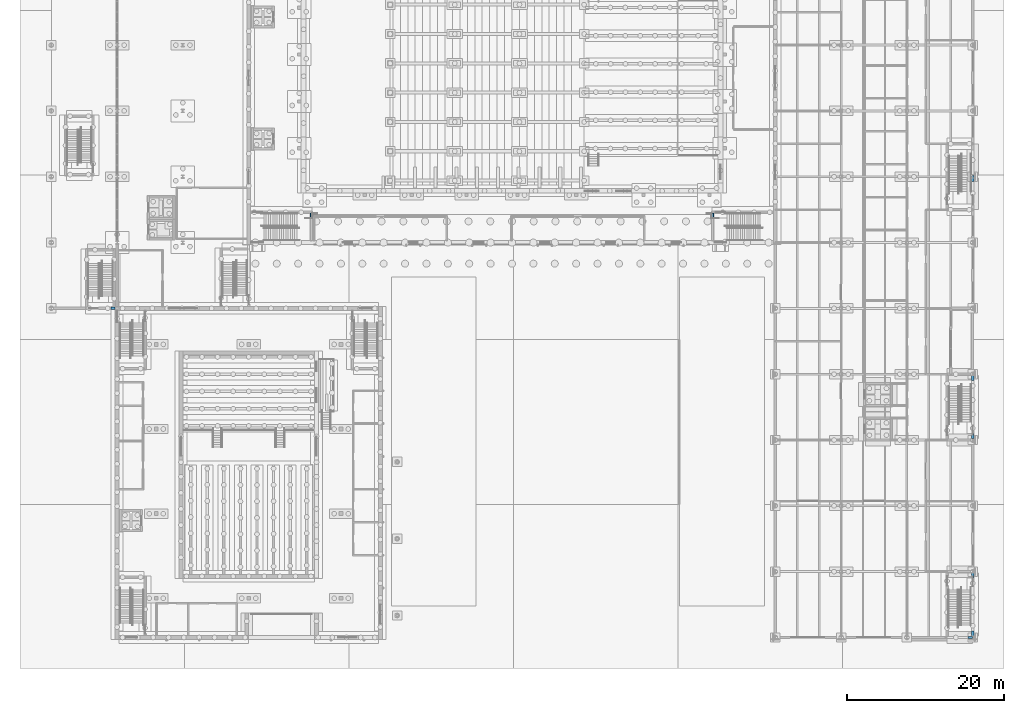
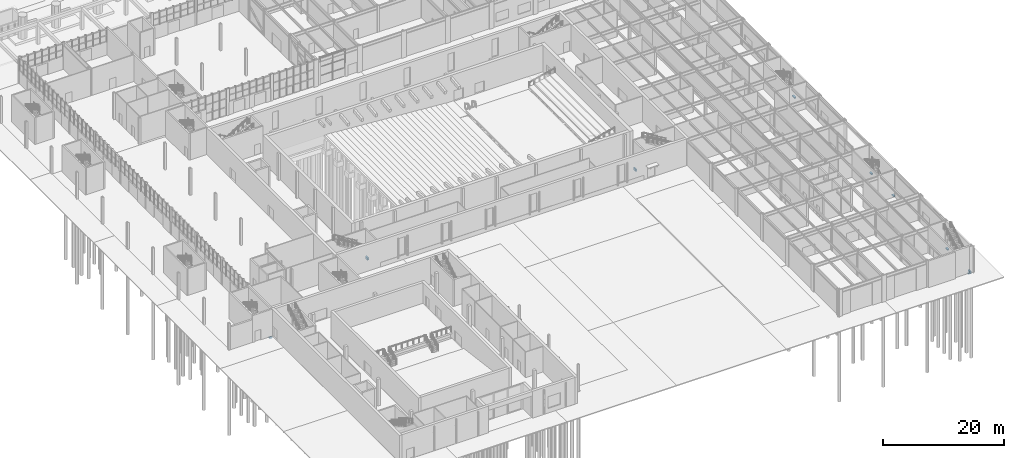
# One storey, part 76 of 127: 9 walls.
"""IFC4 building model written with IfcOpenShell, lengths in metres."""

import ifcopenshell
import ifcopenshell.guid

model = None  # the IFC model being written
_history = None  # IfcOwnerHistory: only IFC2X3 demands one
_inside = {}  # id of a spatial element -> (the spatial element, [elements in it])
_under = {}  # id of a project, library or spatial element -> (it, [spatial elements below it])
_declared = {}  # id of a project -> (the project, [libraries it declares])
_typed = {}  # id of a type object -> (the type object, [elements of that type])
_made_of = {}  # id of a material, layer set ... -> (it, [elements and type objects made of it])


def new_model(schema):
    """Start an empty IFC model of exactly this schema.

    Asked for "IFC4X3", IfcOpenShell would pick the latest addendum, in which some entities
    have other attributes; the version numbers below select the first issue.
    IFC2X3 requires an IfcOwnerHistory on every rooted entity: one is made here for all.
    """
    global model, _history
    if schema == "IFC4X3":
        model = ifcopenshell.file(schema_version=(4, 3, 0, 0))
    else:
        model = ifcopenshell.file(schema=schema)
    _inside.clear()
    _under.clear()
    _declared.clear()
    _typed.clear()
    _made_of.clear()
    _history = None
    if model.schema == "IFC2X3":
        org = make("IfcOrganization", Name="unknown")
        user = make(
            "IfcPersonAndOrganization",
            ThePerson=make("IfcPerson", FamilyName="unknown"),
            TheOrganization=org,
        )
        app = make(
            "IfcApplication",
            ApplicationDeveloper=org,
            Version="unknown",
            ApplicationFullName="unknown",
            ApplicationIdentifier="unknown",
        )
        _history = make(
            "IfcOwnerHistory",
            OwningUser=user,
            OwningApplication=app,
            ChangeAction="ADDED",
            CreationDate=0,
        )
    return model


def make(cls, **values):
    """One entity of the class cls with the attributes given. An attribute that is None is left unset."""
    return model.create_entity(
        cls, **{name: value for name, value in values.items() if value is not None}
    )


def rooted(cls, **values):
    """An entity with a GlobalId (a new one), such as an element, a storey or a relation."""
    return make(cls, GlobalId=ifcopenshell.guid.new(), OwnerHistory=_history, **values)


def si_unit(unit_type, name, prefix=None):
    """IfcSIUnit, for example si_unit("LENGTHUNIT", "METRE", prefix="MILLI")."""
    return make("IfcSIUnit", UnitType=unit_type, Prefix=prefix, Name=name)


def assignment(units):
    """IfcUnitAssignment: the units of a project."""
    return None if units is None else make("IfcUnitAssignment", Units=units)


def point(xyz):
    """IfcCartesianPoint."""
    return None if xyz is None else make("IfcCartesianPoint", Coordinates=xyz)


def direction(xyz):
    """IfcDirection."""
    return None if xyz is None else make("IfcDirection", DirectionRatios=xyz)


def frame(location, z_axis=None, x_axis=None):
    """IfcAxis2Placement3D, a coordinate frame: its origin and axes. An axis left out is left unset."""
    return make(
        "IfcAxis2Placement3D",
        Location=point(location),
        Axis=direction(z_axis),
        RefDirection=direction(x_axis),
    )


def frame_2d(location, x_axis=None):
    """IfcAxis2Placement2D, a coordinate frame in the plane: its origin and x axis."""
    return make(
        "IfcAxis2Placement2D", Location=point(location), RefDirection=direction(x_axis)
    )


def origin():
    """The frame at (0, 0, 0) with its axes left unset."""
    return frame((0.0, 0.0, 0.0))


def place(relative_to, where):
    """IfcLocalPlacement: puts the frame where relative to a parent placement (None: the world)."""
    return make(
        "IfcLocalPlacement", PlacementRelTo=relative_to, RelativePlacement=where
    )


def context(
    kind, dimensions, precision=None, world=None, true_north=None, identifier=None
):
    """IfcGeometricRepresentationContext, for example the 3D "Model" context."""
    return make(
        "IfcGeometricRepresentationContext",
        ContextIdentifier=identifier,
        ContextType=kind,
        CoordinateSpaceDimension=dimensions,
        Precision=precision,
        WorldCoordinateSystem=world,
        TrueNorth=true_north,
    )


def subcontext(parent, identifier, kind, view, scale=None):
    """IfcGeometricRepresentationSubContext, for example "Body" below "Model"."""
    return make(
        "IfcGeometricRepresentationSubContext",
        ContextIdentifier=identifier,
        ContextType=kind,
        ParentContext=parent,
        TargetScale=scale,
        TargetView=view,
    )


def project(units=None, contexts=None):
    """IfcProject with its units and contexts."""
    return rooted(
        "IfcProject",
        Name="project",
        RepresentationContexts=contexts,
        UnitsInContext=assignment(units),
    )


def spatial(cls, under=None, at=None, **own):
    """A site, building, storey or space (cls), placed at a placement, below another one or the project."""
    s = rooted(cls, ObjectPlacement=at, **own)
    if under is not None:
        _under.setdefault(under.id(), (under, []))[1].append(s)
    return s


def profile(cls, at=None, kind="AREA", **sizes):
    """A parametric profile (cls). Its sizes go by their IFC names, for example OverallWidth=200.0."""
    return make(cls, ProfileType=kind, Position=at, **sizes)


def rectangle(**sizes):
    """IfcRectangleProfileDef."""
    return profile("IfcRectangleProfileDef", **sizes)


def extrude(swept, where, along, depth):
    """IfcExtrudedAreaSolid: the profile swept, set in the frame where, extruded along a direction by depth."""
    return make(
        "IfcExtrudedAreaSolid",
        SweptArea=swept,
        Position=where,
        ExtrudedDirection=direction(along),
        Depth=depth,
    )


def shape(context_of_items, identifier, shape_type, items):
    """IfcShapeRepresentation: the items that make up one representation, for example the "Body"."""
    return make(
        "IfcShapeRepresentation",
        ContextOfItems=context_of_items,
        RepresentationIdentifier=identifier,
        RepresentationType=shape_type,
        Items=items,
    )


def material(Name=None, Category=None):
    """IfcMaterial."""
    return make("IfcMaterial", Name=Name, Category=Category)


def layer(
    of_material, thickness, ventilated=None, Name=None, Category=None, Priority=None
):
    """IfcMaterialLayer: one layer of a wall or slab, of a material (None: an air gap)."""
    return make(
        "IfcMaterialLayer",
        Material=of_material,
        LayerThickness=thickness,
        IsVentilated=ventilated,
        Name=Name,
        Category=Category,
        Priority=Priority,
    )


def layer_set(layers, Name=None):
    """IfcMaterialLayerSet."""
    return make("IfcMaterialLayerSet", MaterialLayers=layers, LayerSetName=Name)


def made_of(thing, what):
    """Note that an element or type object is made of a material, layer set ...; save() writes the relation."""
    if what is not None:
        _made_of.setdefault(what.id(), (what, []))[1].append(thing)
    return thing


def type_object(cls, material=None, **own):
    """A type object (cls), such as IfcWallType, which elements share."""
    return made_of(rooted(cls, **own), material)


def element(
    cls,
    number,
    at=None,
    inside=None,
    cuts=None,
    type_object=None,
    material=None,
    context=None,
    identifier="Body",
    shape_type=None,
    held_by="IfcProductDefinitionShape",
    body=None,
    shapes=None,
    **own,
):
    """One element of the class cls, such as IfcWall. Its Tag is "e" and its number.

    at: its placement. inside: the storey or other place that contains it. cuts: it is an
    opening in that element (IfcRelVoidsElement). A single representation is given by context,
    identifier, shape_type and body (its items); several are given by shapes. held_by: the class
    of the entity that holds the representations. save() writes the other relations.
    """
    e = rooted(cls, Tag="e%d" % number, ObjectPlacement=at, **own)
    if body is not None:
        shapes = [shape(context, identifier, shape_type, body)]
    if shapes is not None:
        e.Representation = make(held_by, Representations=shapes)
    if inside is not None:
        _inside.setdefault(inside.id(), (inside, []))[1].append(e)
    if cuts is not None:
        rooted(
            "IfcRelVoidsElement", RelatingBuildingElement=cuts, RelatedOpeningElement=e
        )
    if type_object is not None:
        _typed.setdefault(type_object.id(), (type_object, []))[1].append(e)
    return made_of(e, material)


def aggregate(whole, parts):
    """IfcRelAggregates: a whole, such as a stair, and the parts it consists of."""
    return rooted("IfcRelAggregates", RelatingObject=whole, RelatedObjects=parts)


def save(model, path):
    """Write the relations noted so far, then the file.

    IfcRelAggregates (storeys below a building ...), IfcRelContainedInSpatialStructure (elements
    in a storey), IfcRelDefinesByType, IfcRelAssociatesMaterial and IfcRelDeclares: one each for
    every whole, place, type object, material and project.
    """
    for whole, parts in _under.values():
        aggregate(whole, parts)
    for where, things in _inside.values():
        rooted(
            "IfcRelContainedInSpatialStructure",
            RelatedElements=things,
            RelatingStructure=where,
        )
    for kind, things in _typed.values():
        rooted("IfcRelDefinesByType", RelatedObjects=things, RelatingType=kind)
    for what, things in _made_of.values():
        rooted("IfcRelAssociatesMaterial", RelatedObjects=things, RelatingMaterial=what)
    for by, libraries in _declared.values():
        rooted("IfcRelDeclares", RelatingContext=by, RelatedDefinitions=libraries)
    model.write(path)


model = new_model("IFC4")

# Units and contexts
model_context = context("Model", 3, precision=1e-05, world=origin(), true_north=direction((0.0, 1.0)))
body_context = subcontext(model_context, "Body", "Model", "MODEL_VIEW")
ifc_project = project(units=[si_unit("LENGTHUNIT", "METRE"), si_unit("AREAUNIT", "SQUARE_METRE"), si_unit("VOLUMEUNIT", "CUBIC_METRE"), si_unit("PLANEANGLEUNIT", "RADIAN"), si_unit("MASSUNIT", "GRAM", prefix="KILO")], contexts=[model_context])

# Site, building, storey
site_placement = place(None, origin())
site = spatial("IfcSite", under=ifc_project, at=site_placement, CompositionType="ELEMENT")
building_placement = place(site_placement, origin())
building = spatial("IfcBuilding", under=site, at=building_placement, Name="Ljudholm Concert House", CompositionType="ELEMENT")
storey_placement = place(building_placement, origin())
storey = spatial("IfcBuildingStorey", under=building, at=storey_placement, Name="L00", CompositionType="ELEMENT", Elevation=0.0)

# Walls
ifc_material_1 = material(Name="Concrete 6,500 psi", Category="concrete")
ifc_layer_1 = layer(ifc_material_1, 0.25)
ifc_layer_set_1 = layer_set([ifc_layer_1], Name="Concrete 6,500 psi")
wall_type_1 = type_object("IfcWallType", Name="RC WALL 250", PredefinedType="SOLIDWALL", material=ifc_layer_set_1)
for number, where, z_axis, x_axis, name in (
    (1, (37.175048828125, 57.455078125, -0.5), (0.0, 0.0, 1.0), (0.0, 1.0, 0.0), "Wall stem"),
    (2, (88.425048828125, 57.455078125, -0.5), (0.0, 0.0, 1.0), (0.0, 1.0, 0.0), "Wall stem"),
):
    element("IfcWall", number, at=place(storey_placement, frame(where, z_axis=z_axis, x_axis=x_axis)), inside=storey, type_object=wall_type_1, Name=name, PredefinedType="SOLIDWALL", context=body_context, shape_type="SweptSolid", body=[
        extrude(rectangle(XDim=0.69482421875, YDim=0.25, at=frame_2d((0.347412109375, 0.0))), origin(), (0.0, 0.0, 1.0), 0.5),
    ])
ifc_material_2 = material(Name="Concrete 6,500 psi", Category="concrete")
ifc_layer_2 = layer(ifc_material_2, 0.300048828125)
ifc_layer_set_2 = layer_set([ifc_layer_2], Name="Concrete 6,500 psi")
wall_type_2 = type_object("IfcWallType", Name="RC WALL 300", PredefinedType="SOLIDWALL", material=ifc_layer_set_2)
for number, where, z_axis, x_axis, name in (
    (3, (121.60009765625, 4.186767578125, -0.25), (0.0, 0.0, 1.0), (0.0, 1.0, 0.0), "Wall stem"),
    (4, (121.60009765625, 11.580078125, -0.25), (0.0, 0.0, 1.0), (0.0, 1.0, 0.0), "Wall stem"),
    (5, (121.60009765625, 29.38671875, -0.25), (0.0, 0.0, 1.0), (0.0, 1.0, 0.0), "Wall stem"),
    (6, (121.60009765625, 36.780029296875, -0.25), (0.0, 0.0, 1.0), (0.0, 1.0, 0.0), "Wall stem"),
):
    element("IfcWall", number, at=place(storey_placement, frame(where, z_axis=z_axis, x_axis=x_axis)), inside=storey, type_object=wall_type_2, Name=name, PredefinedType="SOLIDWALL", context=body_context, shape_type="SweptSolid", body=[
        extrude(rectangle(XDim=0.63330078125, YDim=0.300048828125, at=frame_2d((0.316650390625, 0.0))), origin(), (0.0, 0.0, 1.0), 0.25),
    ])
wall_1_placement = place(storey_placement, frame((121.60009765625, 62.179931640625, -0.25), z_axis=(0.0, 0.0, 1.0), x_axis=(0.0, 1.0, 0.0)))
element("IfcWall", 7, at=wall_1_placement, inside=storey, type_object=wall_type_2, Name="Wall stem", PredefinedType="SOLIDWALL", context=body_context, shape_type="SweptSolid", body=[
    extrude(rectangle(XDim=0.806640625, YDim=0.300048828125, at=frame_2d((0.4033203125, 0.0))), origin(), (0.0, 0.0, 1.0), 0.25),
])
wall_2_placement = place(storey_placement, frame((120.97998046875, 4.0, -0.25), z_axis=(0.0, 0.0, 1.0), x_axis=(1.0, 0.0, 0.0)))
element("IfcWall", 8, at=wall_2_placement, inside=storey, type_object=wall_type_2, Name="Wall stem", PredefinedType="SOLIDWALL", context=body_context, shape_type="SweptSolid", body=[
    extrude(rectangle(XDim=0.61181640625, YDim=0.300048828125, at=frame_2d((0.305908203125, 0.0))), origin(), (0.0, 0.0, 1.0), 0.25),
])
wall_3_placement = place(storey_placement, frame((11.6298828125, 46.0, -0.409912109375), z_axis=(0.0, 0.0, 1.0), x_axis=(1.0, 0.0, 0.0)))
element("IfcWall", 9, at=wall_3_placement, inside=storey, type_object=wall_type_2, Name="Wall stem", PredefinedType="SOLIDWALL", context=body_context, shape_type="SweptSolid", body=[
    extrude(rectangle(XDim=0.510009765625, YDim=0.300048828125, at=frame_2d((0.2548828125, 0.0))), origin(), (0.0, 0.0, 1.0), 0.2099609375),
])

save(model, "model.ifc")
